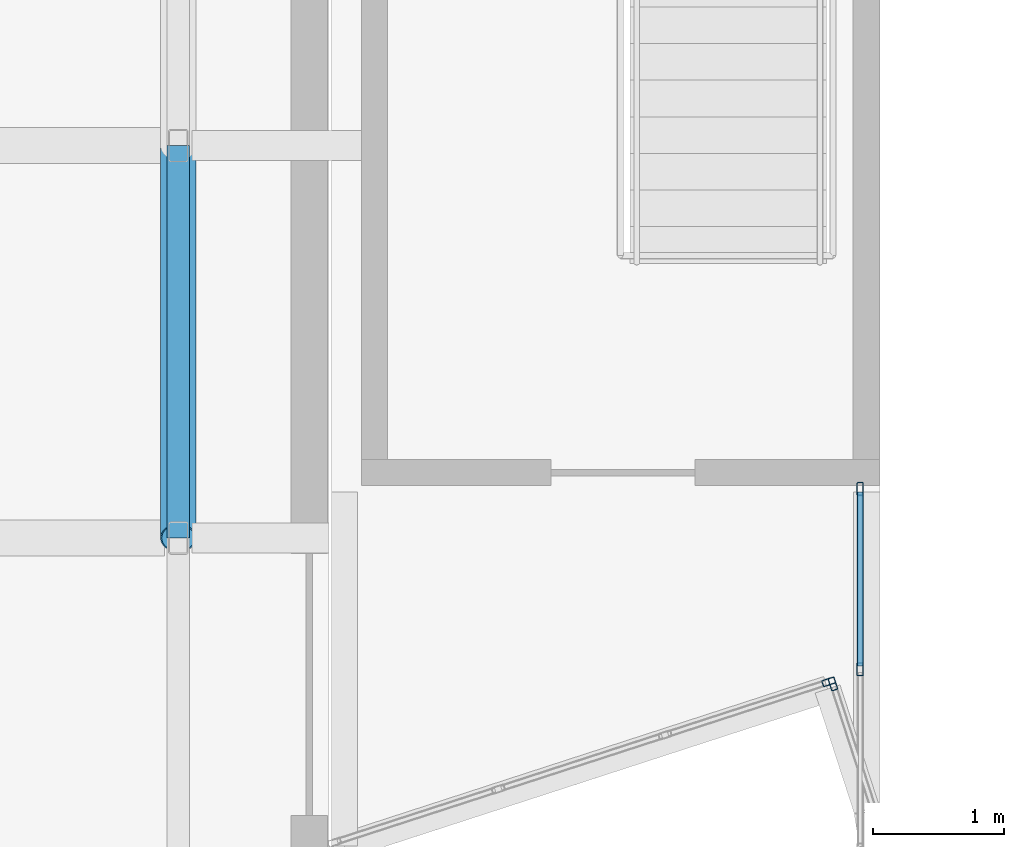
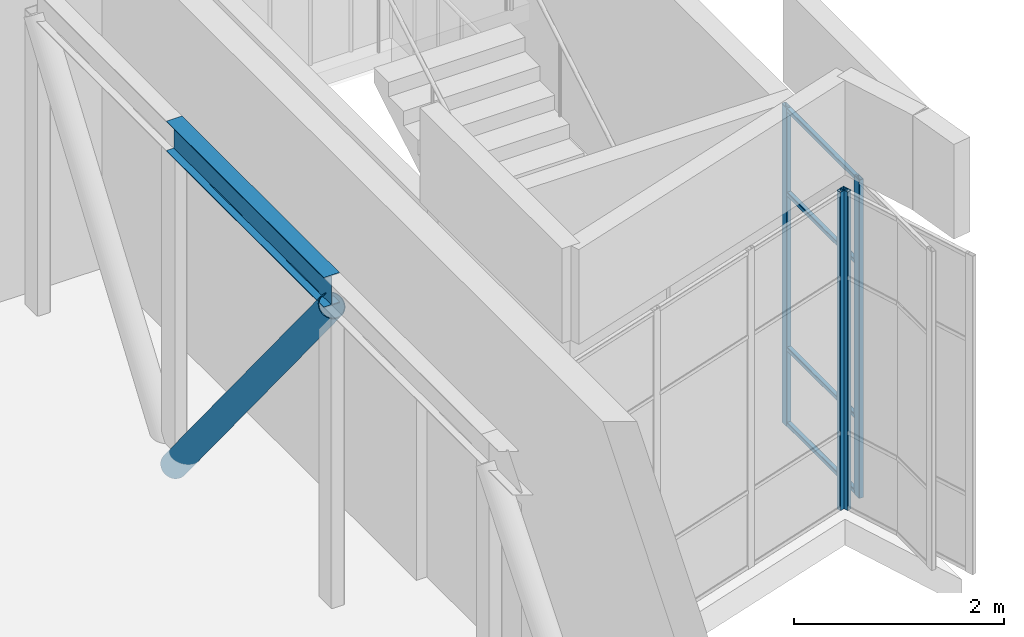
# One storey, part 16 of 72: 10 members, 3 elements without a shape of their own.
"""IFC4 building model written with IfcOpenShell, lengths in metres."""

from ifc_helpers import new_model, si_unit, direction, frame, origin, origin_2d, place, context, subcontext, project, spatial, hollow_rectangle, hollow_circle, i_section, extrude, material, layer, layer_set, material_profile, profile_set, type_object, element, aggregate, save


model = new_model("IFC4")

# Units and contexts
model_context = context("Model", 3, precision=1e-05, world=origin(), true_north=direction((0.0, 1.0)))
body_context = subcontext(model_context, "Body", "Model", "MODEL_VIEW")
ifc_project = project(units=[si_unit("LENGTHUNIT", "METRE"), si_unit("AREAUNIT", "SQUARE_METRE"), si_unit("VOLUMEUNIT", "CUBIC_METRE"), si_unit("PLANEANGLEUNIT", "RADIAN"), si_unit("MASSUNIT", "GRAM", prefix="KILO")], contexts=[model_context])

# Site, building, storey
site_placement = place(None, origin())
site = spatial("IfcSite", under=ifc_project, at=site_placement, CompositionType="ELEMENT")
building_placement = place(site_placement, origin())
building = spatial("IfcBuilding", under=site, at=building_placement, Name="Tuart Plaza Theatre", CompositionType="ELEMENT")
storey_placement = place(building_placement, frame((0.0, 0.0, 13.5)))
storey = spatial("IfcBuildingStorey", under=building, at=storey_placement, Name="L03", CompositionType="ELEMENT", Elevation=13.5)

# Members
ifc_material_1 = material(Name="Steel Grade 300", Category="steel")
ifc_material_profile_1 = material_profile(ifc_material_1, i_section(OverallWidth=0.1708984375, OverallDepth=0.35205078125, WebThickness=0.0068359375, FlangeThickness=0.009765625, FilletRadius=0.011474609375, at=origin_2d()), Name="360UB44.7")
ifc_profile_set_1 = profile_set([ifc_material_profile_1], Name="Steel Grade 300")
member_type_1 = type_object("IfcMemberType", Name="BELT TRUSS Chord 360UB44.7", PredefinedType="CHORD", material=ifc_profile_set_1)
member_1_placement = place(storey_placement, frame((105.0, 44.0, 3.60009765625), z_axis=(0.0, 1.0, 0.0), x_axis=(-1.0, 0.0, 0.0)))
element("IfcMember", 1, at=member_1_placement, inside=storey, type_object=member_type_1, Name="CH64", PredefinedType="CHORD", context=body_context, shape_type="SweptSolid", body=[
    extrude(i_section(OverallWidth=0.1708984375, OverallDepth=0.35205078125, WebThickness=0.0068359375, FlangeThickness=0.009765625, FilletRadius=0.011474609375, at=origin_2d()), origin(), (0.0, 0.0, 1.0), 3.0),
])
ifc_material_2 = material(Name="Steel Grade C350L0", Category="steel")
ifc_material_profile_2 = material_profile(ifc_material_2, hollow_circle(Radius=0.136474609375, WallThickness=0.00927734375, at=origin_2d()), Name="273.1x9.3 CHS")
ifc_profile_set_2 = profile_set([ifc_material_profile_2], Name="Steel Grade C350L0")
member_type_2 = type_object("IfcMemberType", Name="BELT TRUSS Diagonal 273.1x9.3 CHS", PredefinedType="BRACE", material=ifc_profile_set_2)
member_2_placement = place(storey_placement, frame((105.0, 47.0, -0.25341796875), z_axis=(0.0, -0.632119412197, 0.774870988438), x_axis=(1.0, 0.0, 0.0)))
element("IfcMember", 2, at=member_2_placement, inside=storey, type_object=member_type_2, Name="BR172", PredefinedType="BRACE", context=body_context, shape_type="SweptSolid", body=[
    extrude(hollow_circle(Radius=0.136474609375, WallThickness=0.00927734375, at=origin_2d()), origin(), (0.0, 0.0, 1.0), 4.745849609375),
])

# Curtain wall, member
ifc_material_3 = material(Name="Aluminium and glass", Category="aluminium")
ifc_layer = layer(ifc_material_3, 0.10009765625)
ifc_layer_set = layer_set([ifc_layer], Name="CURTAIN WALL 1500 module")
curtain_wall_type = type_object("IfcCurtainWallType", Name="CURTAIN WALL 1500 module", PredefinedType="NOTDEFINED", material=ifc_layer_set)
curtain_wall_1_placement = place(storey_placement, origin())
curtain_wall_1 = element("IfcCurtainWall", 3, at=curtain_wall_1_placement, inside=storey, type_object=curtain_wall_type, Name="CW40", PredefinedType="NOTDEFINED")
ifc_material_4 = material(Name="Aluminium 6063-T5", Category="aluminium")
ifc_material_profile_3 = material_profile(ifc_material_4, hollow_rectangle(XDim=0.050048828125, YDim=0.10009765625, WallThickness=0.00390625, InnerFilletRadius=0.00390625, OuterFilletRadius=0.008056640625, at=origin_2d()), Name="RHS 100x50x4")
ifc_profile_set_3 = profile_set([ifc_material_profile_3], Name="Aluminium 6063-T5")
member_type_3 = type_object("IfcMemberType", Name="MULLION RHS 100x50x4", PredefinedType="MULLION", material=ifc_profile_set_3)
member_3_placement = place(storey_placement, frame((109.97265625, 42.900390625, 0.0), z_axis=(0.0, 0.0, 1.0), x_axis=(-0.308885075359, 0.951099369267, 0.0)))
member_3 = element("IfcMember", 4, at=member_3_placement, type_object=member_type_3, Name="CW40 mullion 4", PredefinedType="MULLION", context=body_context, shape_type="SweptSolid", body=[
    extrude(hollow_rectangle(XDim=0.050048828125, YDim=0.10009765625, WallThickness=0.00390625, InnerFilletRadius=0.00390625, OuterFilletRadius=0.008056640625, at=origin_2d()), origin(), (0.0, 0.0, 1.0), 3.699951171875),
])
aggregate(curtain_wall_1, [member_3])

curtain_wall_2_placement = place(storey_placement, origin())
curtain_wall_2 = element("IfcCurtainWall", 5, at=curtain_wall_2_placement, inside=storey, type_object=curtain_wall_type, Name="CW41", PredefinedType="NOTDEFINED")
member_4_placement = place(storey_placement, frame((110.004150390625, 42.88427734375, 0.0), z_axis=(0.0, 0.0, 1.0), x_axis=(0.951122257572, 0.30881459025, 0.0)))
member_4 = element("IfcMember", 6, at=member_4_placement, type_object=member_type_3, Name="CW41 mullion 1", PredefinedType="MULLION", context=body_context, shape_type="SweptSolid", body=[
    extrude(hollow_rectangle(XDim=0.050048828125, YDim=0.10009765625, WallThickness=0.00390625, InnerFilletRadius=0.00390625, OuterFilletRadius=0.008056640625, at=origin_2d()), origin(), (0.0, 0.0, 1.0), 3.699951171875),
])
aggregate(curtain_wall_2, [member_4])

# Curtain wall, members
curtain_wall_3_placement = place(storey_placement, origin())
curtain_wall_3 = element("IfcCurtainWall", 7, at=curtain_wall_3_placement, inside=storey, type_object=curtain_wall_type, Name="CW42", PredefinedType="NOTDEFINED")
member_5_placement = place(storey_placement, frame((110.212890625, 42.99658203125, 0.0), z_axis=(0.0, 0.0, 1.0), x_axis=(-1.0, 0.0, 0.0)))
member_5 = element("IfcMember", 8, at=member_5_placement, type_object=member_type_3, Name="CW42 mullion 2", PredefinedType="MULLION", context=body_context, shape_type="SweptSolid", body=[
    extrude(hollow_rectangle(XDim=0.050048828125, YDim=0.10009765625, WallThickness=0.00390625, InnerFilletRadius=0.00390625, OuterFilletRadius=0.008056640625, at=origin_2d()), origin(), (0.0, 0.0, 1.0), 3.699951171875),
])
member_6_placement = place(storey_placement, frame((110.212890625, 44.375, 0.0), z_axis=(0.0, 0.0, 1.0), x_axis=(-1.0, 0.0, 0.0)))
member_6 = element("IfcMember", 9, at=member_6_placement, type_object=member_type_3, Name="CW42 mullion 3", PredefinedType="MULLION", context=body_context, shape_type="SweptSolid", body=[
    extrude(hollow_rectangle(XDim=0.050048828125, YDim=0.10009765625, WallThickness=0.00390625, InnerFilletRadius=0.00390625, OuterFilletRadius=0.008056640625, at=origin_2d()), origin(), (0.0, 0.0, 1.0), 3.699951171875),
])
ifc_material_5 = material(Name="Aluminium 6063-T5", Category="aluminium")
ifc_material_profile_4 = material_profile(ifc_material_5, hollow_rectangle(XDim=0.050048828125, YDim=0.050048828125, WallThickness=0.00390625, InnerFilletRadius=0.00390625, OuterFilletRadius=0.008056640625, at=origin_2d()), Name="RHS 50x50x4")
ifc_profile_set_4 = profile_set([ifc_material_profile_4], Name="Aluminium 6063-T5")
member_type_4 = type_object("IfcMemberType", Name="TRANSOM RHS 50x50x4", PredefinedType="USERDEFINED", material=ifc_profile_set_4)
member_7_placement = place(storey_placement, frame((110.212890625, 43.021484375, 0.02490234375), z_axis=(0.0, 1.0, 0.0), x_axis=(-1.0, 0.0, 0.0)))
member_7 = element("IfcMember", 10, at=member_7_placement, type_object=member_type_4, Name="CW42 transom 2.1", ObjectType="TRANSOM", PredefinedType="USERDEFINED", context=body_context, shape_type="SweptSolid", body=[
    extrude(hollow_rectangle(XDim=0.050048828125, YDim=0.050048828125, WallThickness=0.00390625, InnerFilletRadius=0.00390625, OuterFilletRadius=0.008056640625, at=origin_2d()), origin(), (0.0, 0.0, 1.0), 1.32861328125),
])
member_8_placement = place(storey_placement, frame((110.212890625, 43.021484375, 0.89990234375), z_axis=(0.0, 1.0, 0.0), x_axis=(-1.0, 0.0, 0.0)))
member_8 = element("IfcMember", 11, at=member_8_placement, type_object=member_type_4, Name="CW42 transom 2.2", ObjectType="TRANSOM", PredefinedType="USERDEFINED", context=body_context, shape_type="SweptSolid", body=[
    extrude(hollow_rectangle(XDim=0.050048828125, YDim=0.050048828125, WallThickness=0.00390625, InnerFilletRadius=0.00390625, OuterFilletRadius=0.008056640625, at=origin_2d()), origin(), (0.0, 0.0, 1.0), 1.32861328125),
])
member_9_placement = place(storey_placement, frame((110.212890625, 43.021484375, 2.699951171875), z_axis=(0.0, 1.0, 0.0), x_axis=(-1.0, 0.0, 0.0)))
member_9 = element("IfcMember", 12, at=member_9_placement, type_object=member_type_4, Name="CW42 transom 2.3", ObjectType="TRANSOM", PredefinedType="USERDEFINED", context=body_context, shape_type="SweptSolid", body=[
    extrude(hollow_rectangle(XDim=0.050048828125, YDim=0.050048828125, WallThickness=0.00390625, InnerFilletRadius=0.00390625, OuterFilletRadius=0.008056640625, at=origin_2d()), origin(), (0.0, 0.0, 1.0), 1.32861328125),
])
member_10_placement = place(storey_placement, frame((110.212890625, 43.021484375, 3.675048828125), z_axis=(0.0, 1.0, 0.0), x_axis=(-1.0, 0.0, 0.0)))
member_10 = element("IfcMember", 13, at=member_10_placement, type_object=member_type_4, Name="CW42 transom 2.4", ObjectType="TRANSOM", PredefinedType="USERDEFINED", context=body_context, shape_type="SweptSolid", body=[
    extrude(hollow_rectangle(XDim=0.050048828125, YDim=0.050048828125, WallThickness=0.00390625, InnerFilletRadius=0.00390625, OuterFilletRadius=0.008056640625, at=origin_2d()), origin(), (0.0, 0.0, 1.0), 1.32861328125),
])
aggregate(curtain_wall_3, [member_5, member_6, member_7, member_8, member_9, member_10])

save(model, "model.ifc")
